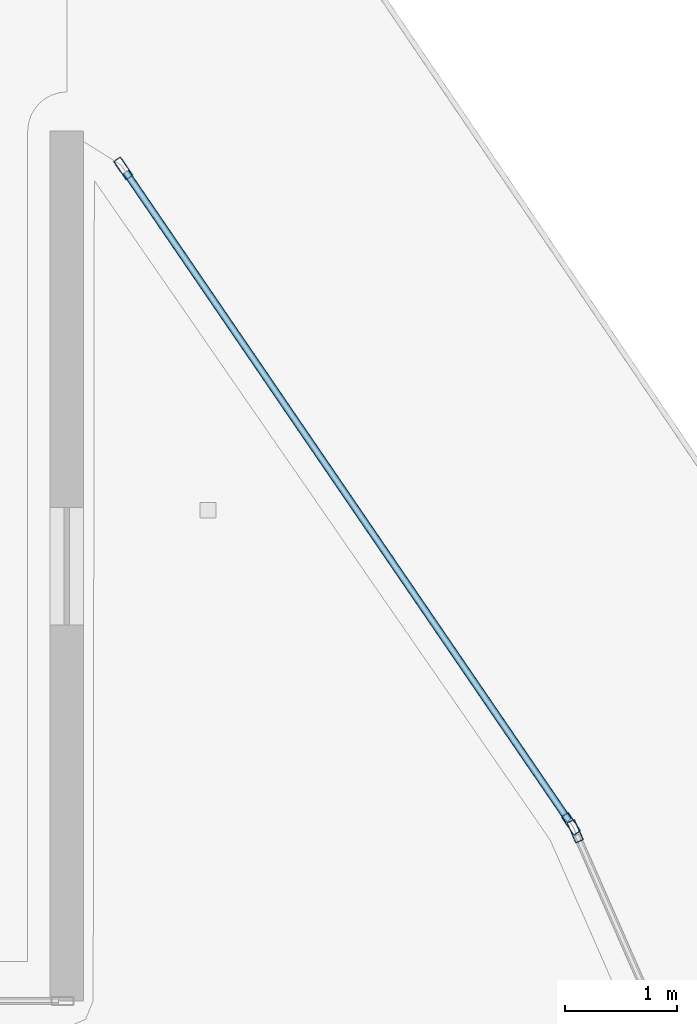
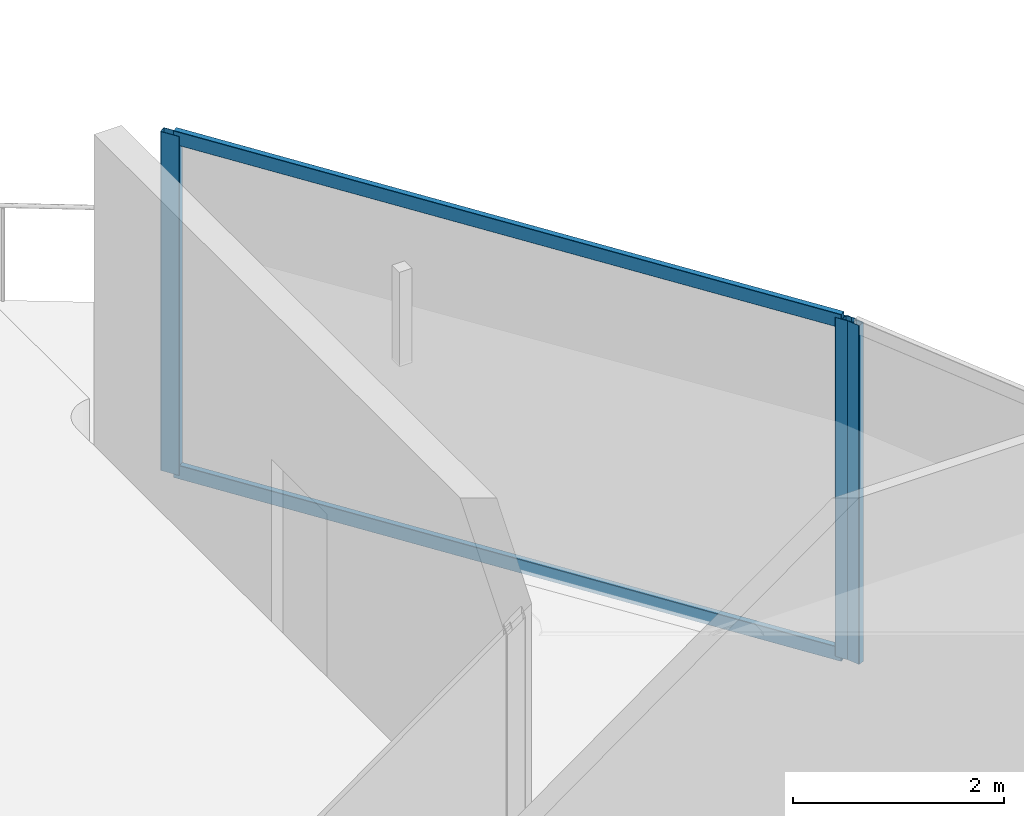
# One storey, part 26 of 47: 5 members, 2 elements without a shape of their own.
"""IFC4 building model written with IfcOpenShell, lengths in metres."""

from ifc_helpers import new_model, si_unit, direction, frame, origin, origin_2d, place, context, subcontext, project, spatial, hollow_rectangle, extrude, material, layer, layer_set, material_profile, profile_set, type_object, element, aggregate, save


model = new_model("IFC4")

# Units and contexts
model_context = context("Model", 3, precision=1e-05, world=origin(), true_north=direction((0.0, 1.0)))
body_context = subcontext(model_context, "Body", "Model", "MODEL_VIEW")
ifc_project = project(units=[si_unit("LENGTHUNIT", "METRE"), si_unit("AREAUNIT", "SQUARE_METRE"), si_unit("VOLUMEUNIT", "CUBIC_METRE"), si_unit("PLANEANGLEUNIT", "RADIAN"), si_unit("MASSUNIT", "GRAM", prefix="KILO")], contexts=[model_context])

# Site, building, storey
site_placement = place(None, origin())
site = spatial("IfcSite", under=ifc_project, at=site_placement, CompositionType="ELEMENT")
building_placement = place(site_placement, origin())
building = spatial("IfcBuilding", under=site, at=building_placement, Name="Qorvath Tower", CompositionType="ELEMENT")
storey_placement = place(building_placement, frame((0.0, 0.0, 82.800048828125)))
storey = spatial("IfcBuildingStorey", under=building, at=storey_placement, Name="L18", CompositionType="ELEMENT", Elevation=82.800048828125)

# Curtain wall, member
ifc_material_1 = material(Name="Anodised aluminium and triple low-E glass", Category="aluminium")
ifc_layer = layer(ifc_material_1, 0.179931640625)
ifc_layer_set = layer_set([ifc_layer], Name="CW-SYS-5")
curtain_wall_type = type_object("IfcCurtainWallType", Name="CW-SYS-5", PredefinedType="NOTDEFINED", material=ifc_layer_set)
curtain_wall_1_placement = place(storey_placement, origin())
curtain_wall_1 = element("IfcCurtainWall", 1, at=curtain_wall_1_placement, inside=storey, type_object=curtain_wall_type, Name="Curtain Wall CW-5 CW-T-L18-16.1", PredefinedType="NOTDEFINED")
ifc_material_2 = material(Name="Anodised aluminium 6063-T6", Category="aluminium")
ifc_material_profile_1 = material_profile(ifc_material_2, hollow_rectangle(XDim=0.074951171875, YDim=0.199951171875, WallThickness=0.00390625, InnerFilletRadius=0.00390625, OuterFilletRadius=0.008056640625, at=origin_2d()), Name="CWM 200x75")
ifc_profile_set_1 = profile_set([ifc_material_profile_1], Name="Anodised aluminium 6063-T6")
member_type_1 = type_object("IfcMemberType", Name="CWM-200", PredefinedType="MULLION", material=ifc_profile_set_1)
member_1_placement = place(storey_placement, frame((1.387939453125, 18.652099609375, 0.0), z_axis=(0.0, 0.0, 1.0), x_axis=(-0.915885530927, -0.401439527499, 0.0)))
member_1 = element("IfcMember", 2, at=member_1_placement, type_object=member_type_1, Name="CW-5 mullion 2", PredefinedType="MULLION", context=body_context, shape_type="SweptSolid", body=[
    extrude(hollow_rectangle(XDim=0.074951171875, YDim=0.199951171875, WallThickness=0.00390625, InnerFilletRadius=0.00390625, OuterFilletRadius=0.008056640625, at=origin_2d()), origin(), (0.0, 0.0, 1.0), 3.919921875),
])
aggregate(curtain_wall_1, [member_1])

# Curtain wall, members
curtain_wall_2_placement = place(storey_placement, origin())
curtain_wall_2 = element("IfcCurtainWall", 3, at=curtain_wall_2_placement, inside=storey, type_object=curtain_wall_type, Name="Curtain Wall CW-5 CW-T-L18-17.1", PredefinedType="NOTDEFINED")
member_2_placement = place(storey_placement, frame((1.3515625, 18.717529296875, 0.0), z_axis=(0.0, 0.0, 1.0), x_axis=(-0.825750255931, -0.564035916259, 0.0)))
member_2 = element("IfcMember", 4, at=member_2_placement, type_object=member_type_1, Name="CW-5 mullion 1", PredefinedType="MULLION", context=body_context, shape_type="SweptSolid", body=[
    extrude(hollow_rectangle(XDim=0.074951171875, YDim=0.199951171875, WallThickness=0.00390625, InnerFilletRadius=0.00390625, OuterFilletRadius=0.008056640625, at=origin_2d()), origin(), (0.0, 0.0, 1.0), 3.919921875),
])
member_3_placement = place(storey_placement, frame((-2.64794921875, 24.572998046875, 0.0), z_axis=(0.0, 0.0, 1.0), x_axis=(-0.825750255931, -0.564035916259, 0.0)))
member_3 = element("IfcMember", 5, at=member_3_placement, type_object=member_type_1, Name="CW-5 mullion 2", PredefinedType="MULLION", context=body_context, shape_type="SweptSolid", body=[
    extrude(hollow_rectangle(XDim=0.074951171875, YDim=0.199951171875, WallThickness=0.00390625, InnerFilletRadius=0.00390625, OuterFilletRadius=0.008056640625, at=origin_2d()), origin(), (0.0, 0.0, 1.0), 3.919921875),
])
ifc_material_3 = material(Name="Anodised aluminium 6063-T6", Category="aluminium")
ifc_material_profile_2 = material_profile(ifc_material_3, hollow_rectangle(XDim=0.06494140625, YDim=0.159912109375, WallThickness=0.00341796875, InnerFilletRadius=0.00341796875, OuterFilletRadius=0.007080078125, at=origin_2d()), Name="CWT 160x65")
ifc_profile_set_2 = profile_set([ifc_material_profile_2], Name="Anodised aluminium 6063-T6")
member_type_2 = type_object("IfcMemberType", Name="CWT-160", PredefinedType="USERDEFINED", material=ifc_profile_set_2)
member_4_placement = place(storey_placement, frame((1.33056640625, 18.74853515625, 0.032470703125), z_axis=(-0.564060033788, 0.825733781726, 0.0), x_axis=(-0.825733781726, -0.564060033788, 0.0)))
member_4 = element("IfcMember", 6, at=member_4_placement, type_object=member_type_2, Name="CW-5 transom 1.1", ObjectType="TRANSOM", PredefinedType="USERDEFINED", context=body_context, shape_type="SweptSolid", body=[
    extrude(hollow_rectangle(XDim=0.06494140625, YDim=0.159912109375, WallThickness=0.00341796875, InnerFilletRadius=0.00341796875, OuterFilletRadius=0.007080078125, at=origin_2d()), origin(), (0.0, 0.0, 1.0), 7.01611328125),
])
member_5_placement = place(storey_placement, frame((1.33056640625, 18.74853515625, 3.887451171875), z_axis=(-0.564060033788, 0.825733781726, 0.0), x_axis=(-0.825733781726, -0.564060033788, 0.0)))
member_5 = element("IfcMember", 7, at=member_5_placement, type_object=member_type_2, Name="CW-5 transom 1.2", ObjectType="TRANSOM", PredefinedType="USERDEFINED", context=body_context, shape_type="SweptSolid", body=[
    extrude(hollow_rectangle(XDim=0.06494140625, YDim=0.159912109375, WallThickness=0.00341796875, InnerFilletRadius=0.00341796875, OuterFilletRadius=0.007080078125, at=origin_2d()), origin(), (0.0, 0.0, 1.0), 7.01611328125),
])
aggregate(curtain_wall_2, [member_2, member_3, member_4, member_5])

save(model, "model.ifc")
